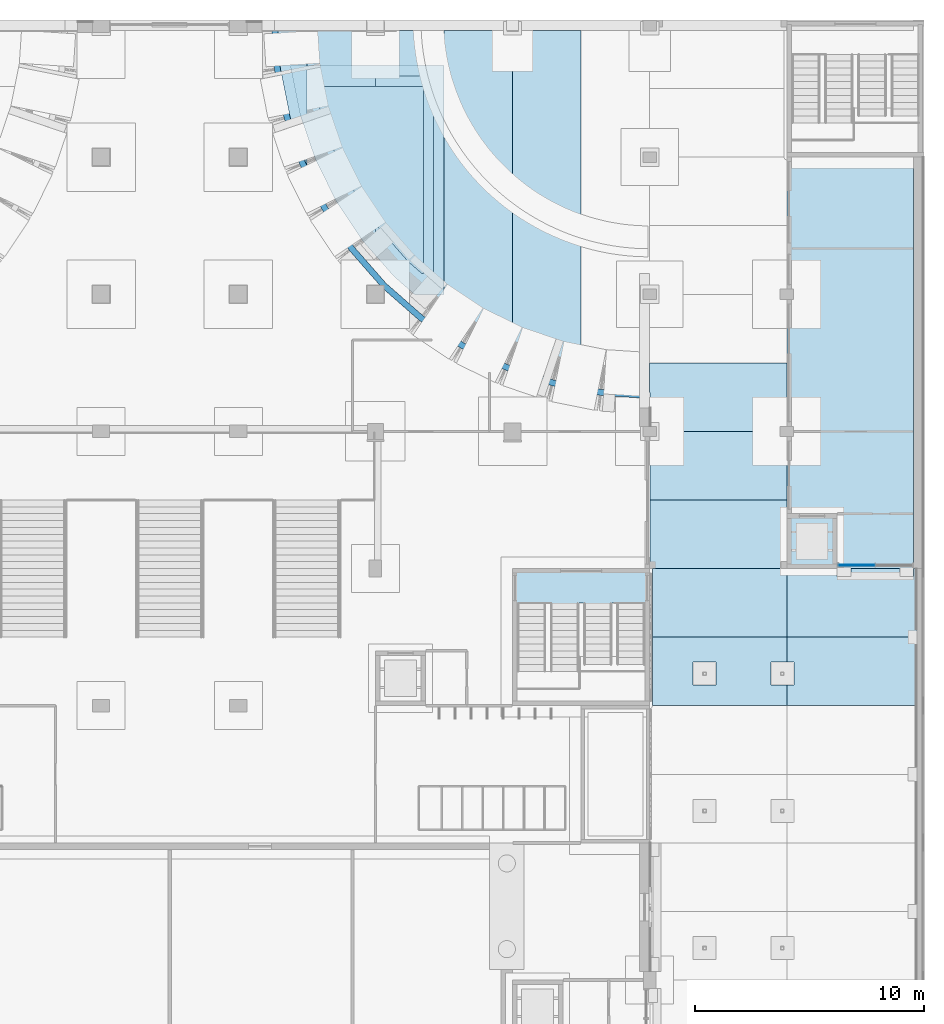
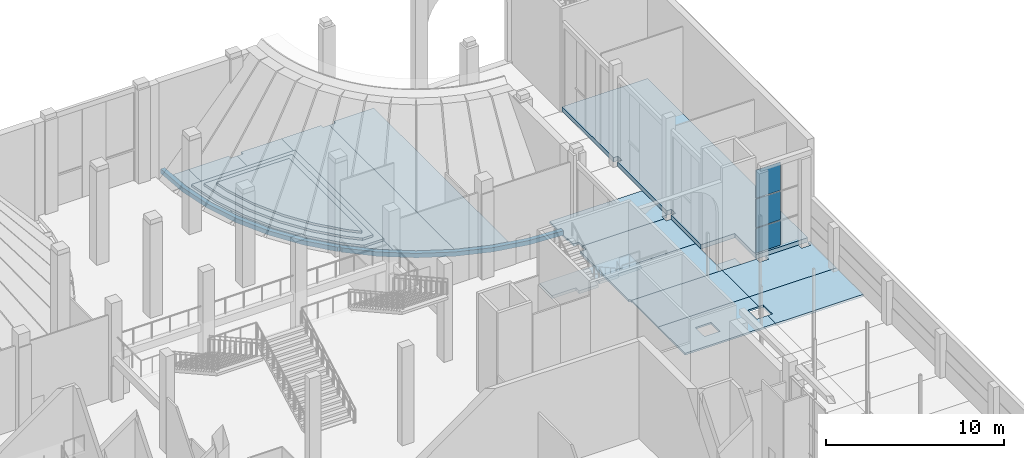
# One storey, part 38 of 95: 19 slabs, 3 plates, 2 elements without a shape of their own.
"""IFC4 building model written with IfcOpenShell, lengths in metres."""

from ifc_helpers import new_model, si_unit, direction, frame, origin, origin_2d, place, context, subcontext, project, spatial, polyline, rectangle, outline, extrude, material, layer, layer_set, type_object, element, aggregate, save


model = new_model("IFC4")

# Units and contexts
model_context = context("Model", 3, precision=1e-05, world=origin(), true_north=direction((0.0, 1.0)))
body_context = subcontext(model_context, "Body", "Model", "MODEL_VIEW")
ifc_project = project(units=[si_unit("LENGTHUNIT", "METRE"), si_unit("AREAUNIT", "SQUARE_METRE"), si_unit("VOLUMEUNIT", "CUBIC_METRE"), si_unit("PLANEANGLEUNIT", "RADIAN"), si_unit("MASSUNIT", "GRAM", prefix="KILO")], contexts=[model_context])

# Site, building, storey
site_placement = place(None, origin())
site = spatial("IfcSite", under=ifc_project, at=site_placement, CompositionType="ELEMENT")
building_placement = place(site_placement, origin())
building = spatial("IfcBuilding", under=site, at=building_placement, Name="Saffron Lane Theatres", CompositionType="ELEMENT")
storey_placement = place(building_placement, origin())
storey = spatial("IfcBuildingStorey", under=building, at=storey_placement, Name="L00", CompositionType="ELEMENT", Elevation=0.0)

# Curtain wall, plates
ifc_material_1 = material(Name="Aluminium", Category="aluminium")
curtain_wall_type = type_object("IfcCurtainWallType", Name="EX-CURTAIN WALL 3340x6050x200", PredefinedType="NOTDEFINED", material=ifc_material_1)
curtain_wall_placement = place(storey_placement, origin())
curtain_wall = element("IfcCurtainWall", 1, at=curtain_wall_placement, inside=storey, type_object=curtain_wall_type, Name="Curtain wall L00 17", PredefinedType="NOTDEFINED")
ifc_material_2 = material(Name="Glass", Category="glass")
ifc_layer_1 = layer(ifc_material_2, 0.031982421875)
ifc_layer_set_1 = layer_set([ifc_layer_1], Name="Glass")
plate_type = type_object("IfcPlateType", Name="EX-CW PANEL GLAZING 32", PredefinedType="CURTAIN_PANEL", material=ifc_layer_set_1)
plate_1_placement = place(storey_placement, frame((63.050048828125, 102.14990234375, 0.06005859375), z_axis=(0.0, 0.0, 1.0), x_axis=(-1.0, 0.0, 0.0)))
plate_1 = element("IfcPlate", 2, at=plate_1_placement, type_object=plate_type, Name="CW-00-17 panel 2.1", PredefinedType="CURTAIN_PANEL", context=body_context, shape_type="SweptSolid", body=[
    extrude(rectangle(XDim=1.580078125, YDim=0.031982421875, at=origin_2d()), origin(), (0.0, 0.0, 1.0), 1.926513671875),
])
plate_2_placement = place(storey_placement, frame((63.050048828125, 102.14990234375, 2.04638671875), z_axis=(0.0, 0.0, 1.0), x_axis=(-1.0, 0.0, 0.0)))
plate_2 = element("IfcPlate", 3, at=plate_2_placement, type_object=plate_type, Name="CW-00-17 panel 2.2", PredefinedType="CURTAIN_PANEL", context=body_context, shape_type="SweptSolid", body=[
    extrude(rectangle(XDim=1.580078125, YDim=0.031982421875, at=origin_2d()), origin(), (0.0, 0.0, 1.0), 1.956787109375),
])
plate_3_placement = place(storey_placement, frame((63.050048828125, 102.14990234375, 4.0634765625), z_axis=(0.0, 0.0, 1.0), x_axis=(-1.0, 0.0, 0.0)))
plate_3 = element("IfcPlate", 4, at=plate_3_placement, type_object=plate_type, Name="CW-00-17 panel 2.3", PredefinedType="CURTAIN_PANEL", context=body_context, shape_type="SweptSolid", body=[
    extrude(rectangle(XDim=1.580078125, YDim=0.031982421875, at=origin_2d()), origin(), (0.0, 0.0, 1.0), 1.926513671875),
])
aggregate(curtain_wall, [plate_1, plate_2, plate_3])

# Slabs
ifc_material_3 = material(Name="Masonry bluestone paving", Category="masonry")
ifc_layer_2 = layer(ifc_material_3, 0.1201171875)
ifc_layer_set_2 = layer_set([ifc_layer_2], Name="Masonry bluestone paving")
slab_type_1 = type_object("IfcSlabType", Name="EX-PAVING BLUESTONE 120", PredefinedType="USERDEFINED", material=ifc_layer_set_2)
slab_1_placement = place(storey_placement, frame((0.0, 0.0, -0.1201171875)))
element("IfcSlab", 5, at=slab_1_placement, inside=storey, type_object=slab_type_1, Name="Saffron Lane passage paving 24", ObjectType="PAVING", PredefinedType="USERDEFINED", context=body_context, shape_type="SweptSolid", body=[
    extrude(outline(polyline([(59.99658203125, 101.998046875), (59.996337890625, 101.99853515625), (59.99609375, 101.998779296875), (59.99609375, 101.999267578125), (59.99609375, 101.99951171875), (59.99609375, 102.0), (54.1201171875, 102.0), (54.1201171875, 99.0), (60.0, 99.0), (60.0, 101.99609375), (59.99951171875, 101.99609375), (59.999267578125, 101.99609375), (59.998779296875, 101.99609375), (59.99853515625, 101.996337890625), (59.998046875, 101.99658203125), (59.997802734375, 101.99658203125), (59.99755859375, 101.996826171875), (59.9970703125, 101.9970703125), (59.996826171875, 101.99755859375), (59.99658203125, 101.997802734375), (59.99658203125, 101.998046875)])), origin(), (0.0, 0.0, 1.0), 0.1201171875),
])
ifc_material_4 = material(Name="Masonry bluestone paving", Category="masonry")
ifc_layer_3 = layer(ifc_material_4, 0.14990234375)
ifc_layer_set_3 = layer_set([ifc_layer_3], Name="Masonry bluestone paving")
slab_type_2 = type_object("IfcSlabType", Name="EX-PAVING BLUESTONE 150", PredefinedType="USERDEFINED", material=ifc_layer_set_3)
slab_2_placement = place(storey_placement, frame((0.0, 0.0, -0.14990234375)))
element("IfcSlab", 6, at=slab_2_placement, inside=storey, type_object=slab_type_2, Name="East court paving 47", ObjectType="PAVING", PredefinedType="USERDEFINED", context=body_context, shape_type="SweptSolid", body=[
    extrude(outline(polyline([(60.0, 101.99609375), (60.0, 99.0), (65.68603515625, 99.0), (65.68603515625, 101.99609375), (65.5439453125, 101.99609375), (65.5439453125, 101.64990234375), (65.5439453125, 101.649658203125), (65.5439453125, 101.649169921875), (65.5439453125, 101.64892578125), (65.543701171875, 101.6484375), (65.54345703125, 101.648193359375), (65.543212890625, 101.647705078125), (65.543212890625, 101.6474609375), (65.542724609375, 101.647216796875), (65.54248046875, 101.64697265625), (65.542236328125, 101.646728515625), (65.5419921875, 101.646484375), (65.54150390625, 101.646240234375), (65.541259765625, 101.646240234375), (65.540771484375, 101.64599609375), (65.540283203125, 101.64599609375), (65.5400390625, 101.64599609375), (64.93994140625, 101.64599609375), (64.939697265625, 101.64599609375), (64.939208984375, 101.64599609375), (64.938720703125, 101.646240234375), (64.9384765625, 101.646240234375), (64.938232421875, 101.646484375), (64.937744140625, 101.646728515625), (64.9375, 101.64697265625), (64.937255859375, 101.647216796875), (64.93701171875, 101.6474609375), (64.936767578125, 101.647705078125), (64.9365234375, 101.648193359375), (64.936279296875, 101.6484375), (64.936279296875, 101.64892578125), (64.93603515625, 101.649169921875), (64.93603515625, 101.649658203125), (64.93603515625, 101.64990234375), (64.93603515625, 101.99609375), (62.803955078125, 101.99609375), (62.803955078125, 101.64990234375), (62.803955078125, 101.649658203125), (62.803955078125, 101.649169921875), (62.8037109375, 101.64892578125), (62.8037109375, 101.6484375), (62.803466796875, 101.648193359375), (62.80322265625, 101.647705078125), (62.802978515625, 101.6474609375), (62.802734375, 101.647216796875), (62.802490234375, 101.64697265625), (62.80224609375, 101.646728515625), (62.802001953125, 101.646484375), (62.801513671875, 101.646240234375), (62.80126953125, 101.646240234375), (62.80078125, 101.64599609375), (62.80029296875, 101.64599609375), (62.800048828125, 101.64599609375), (62.199951171875, 101.64599609375), (62.19970703125, 101.64599609375), (62.19921875, 101.64599609375), (62.19873046875, 101.646240234375), (62.198486328125, 101.646240234375), (62.197998046875, 101.646484375), (62.19775390625, 101.646728515625), (62.197509765625, 101.64697265625), (62.197265625, 101.647216796875), (62.197021484375, 101.6474609375), (62.19677734375, 101.647705078125), (62.196533203125, 101.648193359375), (62.1962890625, 101.6484375), (62.1962890625, 101.64892578125), (62.196044921875, 101.649169921875), (62.196044921875, 101.649658203125), (62.196044921875, 101.64990234375), (62.196044921875, 101.99609375), (60.0, 101.99609375)])), origin(), (0.0, 0.0, 1.0), 0.14990234375),
])
slab_3_placement = place(storey_placement, frame((0.0, 0.0, -0.14990234375)))
element("IfcSlab", 7, at=slab_3_placement, inside=storey, type_object=slab_type_2, Name="East arcade lane paving 2", ObjectType="PAVING", PredefinedType="USERDEFINED", context=body_context, shape_type="SweptSolid", body=[
    extrude(outline(polyline([(54.00390625, 107.59619140625), (54.00390625, 105.0), (59.99609375, 105.0), (59.99609375, 107.77099609375), (59.699951171875, 107.77099609375), (59.69970703125, 107.77099609375), (59.69921875, 107.77099609375), (59.69873046875, 107.771240234375), (59.698486328125, 107.771240234375), (59.697998046875, 107.771484375), (59.69775390625, 107.771728515625), (59.697509765625, 107.77197265625), (59.697265625, 107.772216796875), (59.697021484375, 107.7724609375), (59.69677734375, 107.772705078125), (59.696533203125, 107.773193359375), (59.6962890625, 107.7734375), (59.6962890625, 107.77392578125), (59.696044921875, 107.774169921875), (59.696044921875, 107.774658203125), (59.696044921875, 107.77490234375), (59.696044921875, 108.0), (54.40380859375, 108.0), (54.40380859375, 107.60009765625), (54.40380859375, 107.599609375), (54.40380859375, 107.599365234375), (54.40380859375, 107.598876953125), (54.403564453125, 107.5986328125), (54.4033203125, 107.59814453125), (54.4033203125, 107.597900390625), (54.403076171875, 107.59765625), (54.40283203125, 107.59716796875), (54.40234375, 107.596923828125), (54.402099609375, 107.5966796875), (54.40185546875, 107.5966796875), (54.4013671875, 107.596435546875), (54.401123046875, 107.59619140625), (54.400634765625, 107.59619140625), (54.400390625, 107.59619140625), (54.39990234375, 107.59619140625), (54.00390625, 107.59619140625)])), origin(), (0.0, 0.0, 1.0), 0.14990234375),
])
slab_4_placement = place(storey_placement, frame((0.0, 0.0, -0.14990234375)))
element("IfcSlab", 8, at=slab_4_placement, inside=storey, type_object=slab_type_2, Name="West forecourt paving 6", ObjectType="PAVING", PredefinedType="USERDEFINED", context=body_context, shape_type="SweptSolid", body=[
    extrude(outline(polyline([(47.763916015625, 110.944091796875), (48.0, 110.86376953125), (48.0, 125.345703125), (47.60009765625, 125.345703125), (47.599609375, 125.345703125), (47.599365234375, 125.345703125), (47.598876953125, 125.345703125), (47.5986328125, 125.345947265625), (47.59814453125, 125.34619140625), (47.597900390625, 125.34619140625), (47.59765625, 125.346435546875), (47.59716796875, 125.3466796875), (47.596923828125, 125.34716796875), (47.5966796875, 125.347412109375), (47.5966796875, 125.34765625), (47.596435546875, 125.34814453125), (47.59619140625, 125.348388671875), (47.59619140625, 125.348876953125), (47.59619140625, 125.34912109375), (47.59619140625, 125.349609375), (47.59619140625, 125.54541015625), (45.0, 125.54541015625), (45.0, 112.4560546875), (45.85205078125, 111.88671875), (47.763916015625, 110.944091796875)])), origin(), (0.0, 0.0, 1.0), 0.14990234375),
])
slab_5_placement = place(storey_placement, frame((0.0, 0.0, -0.14990234375)))
element("IfcSlab", 9, at=slab_5_placement, inside=storey, type_object=slab_type_2, Name="West forecourt paving 10", ObjectType="PAVING", PredefinedType="USERDEFINED", context=body_context, shape_type="SweptSolid", body=[
    extrude(outline(polyline([(41.071533203125, 116.0791015625), (42.0, 115.0205078125), (42.0, 125.320556640625), (41.60009765625, 125.320556640625), (41.599609375, 125.320556640625), (41.599365234375, 125.320556640625), (41.598876953125, 125.320556640625), (41.5986328125, 125.32080078125), (41.59814453125, 125.321044921875), (41.597900390625, 125.321044921875), (41.59765625, 125.3212890625), (41.59716796875, 125.321533203125), (41.596923828125, 125.322021484375), (41.5966796875, 125.322265625), (41.5966796875, 125.322509765625), (41.596435546875, 125.322998046875), (41.59619140625, 125.3232421875), (41.59619140625, 125.32373046875), (41.59619140625, 125.323974609375), (41.59619140625, 125.324462890625), (41.59619140625, 125.54541015625), (39.0, 125.54541015625), (39.0, 119.65087890625), (39.88720703125, 117.8515625), (41.071533203125, 116.0791015625)])), origin(), (0.0, 0.0, 1.0), 0.14990234375),
])
ifc_material_5 = material(Name="Masonry sandstone paving", Category="masonry")
ifc_layer_4 = layer(ifc_material_5, 0.1201171875)
ifc_layer_set_4 = layer_set([ifc_layer_4], Name="Masonry sandstone paving")
slab_type_3 = type_object("IfcSlabType", Name="EX-PAVING SANDSTONE 120", PredefinedType="USERDEFINED", material=ifc_layer_set_4)
slab_6_placement = place(storey_placement, frame((0.0, 0.0, -0.1201171875)))
element("IfcSlab", 10, at=slab_6_placement, inside=storey, type_object=slab_type_3, Name="Saffron Lane passage paving 23", ObjectType="PAVING", PredefinedType="USERDEFINED", context=body_context, shape_type="SweptSolid", body=[
    extrude(outline(polyline([(60.0, 97.904052734375), (60.0, 99.0), (54.1201171875, 99.0), (54.1201171875, 96.0), (60.0, 96.0), (60.0, 96.89599609375), (59.300048828125, 96.89599609375), (59.299560546875, 96.89599609375), (59.29931640625, 96.89599609375), (59.298828125, 96.896240234375), (59.298583984375, 96.896240234375), (59.298095703125, 96.896484375), (59.2978515625, 96.896728515625), (59.29736328125, 96.89697265625), (59.297119140625, 96.897216796875), (59.296875, 96.8974609375), (59.296630859375, 96.897705078125), (59.29638671875, 96.898193359375), (59.29638671875, 96.8984375), (59.296142578125, 96.89892578125), (59.296142578125, 96.899169921875), (59.2958984375, 96.899658203125), (59.2958984375, 96.89990234375), (59.2958984375, 97.89990234375), (59.2958984375, 97.900390625), (59.296142578125, 97.90087890625), (59.296142578125, 97.901123046875), (59.29638671875, 97.901611328125), (59.29638671875, 97.90185546875), (59.296630859375, 97.90234375), (59.296875, 97.902587890625), (59.297119140625, 97.90283203125), (59.29736328125, 97.903076171875), (59.2978515625, 97.9033203125), (59.298095703125, 97.903564453125), (59.298583984375, 97.90380859375), (59.298828125, 97.90380859375), (59.29931640625, 97.90380859375), (59.299560546875, 97.904052734375), (59.300048828125, 97.904052734375), (60.0, 97.904052734375)]), holes=[polyline([(55.89599609375, 97.90087890625), (55.896240234375, 97.901123046875), (55.896240234375, 97.901611328125), (55.896484375, 97.90185546875), (55.896728515625, 97.90234375), (55.89697265625, 97.902587890625), (55.897216796875, 97.90283203125), (55.8974609375, 97.903076171875), (55.897705078125, 97.9033203125), (55.898193359375, 97.903564453125), (55.8984375, 97.90380859375), (55.89892578125, 97.90380859375), (55.899169921875, 97.90380859375), (55.899658203125, 97.904052734375), (55.89990234375, 97.904052734375), (56.89990234375, 97.904052734375), (56.900390625, 97.904052734375), (56.90087890625, 97.90380859375), (56.901123046875, 97.90380859375), (56.901611328125, 97.90380859375), (56.90185546875, 97.903564453125), (56.90234375, 97.9033203125), (56.902587890625, 97.903076171875), (56.90283203125, 97.90283203125), (56.903076171875, 97.902587890625), (56.9033203125, 97.90234375), (56.903564453125, 97.90185546875), (56.90380859375, 97.901611328125), (56.90380859375, 97.901123046875), (56.90380859375, 97.90087890625), (56.904052734375, 97.900390625), (56.904052734375, 97.89990234375), (56.904052734375, 96.89990234375), (56.904052734375, 96.899658203125), (56.90380859375, 96.899169921875), (56.90380859375, 96.89892578125), (56.90380859375, 96.8984375), (56.903564453125, 96.898193359375), (56.9033203125, 96.897705078125), (56.903076171875, 96.8974609375), (56.90283203125, 96.897216796875), (56.902587890625, 96.89697265625), (56.90234375, 96.896728515625), (56.90185546875, 96.896484375), (56.901611328125, 96.896240234375), (56.901123046875, 96.896240234375), (56.90087890625, 96.89599609375), (56.900390625, 96.89599609375), (56.89990234375, 96.89599609375), (55.89990234375, 96.89599609375), (55.899658203125, 96.89599609375), (55.899169921875, 96.89599609375), (55.89892578125, 96.896240234375), (55.8984375, 96.896240234375), (55.898193359375, 96.896484375), (55.897705078125, 96.896728515625), (55.8974609375, 96.89697265625), (55.897216796875, 96.897216796875), (55.89697265625, 96.8974609375), (55.896728515625, 96.897705078125), (55.896484375, 96.898193359375), (55.896240234375, 96.8984375), (55.896240234375, 96.89892578125), (55.89599609375, 96.899169921875), (55.89599609375, 96.899658203125), (55.89599609375, 96.89990234375), (55.89599609375, 97.89990234375), (55.89599609375, 97.900390625), (55.89599609375, 97.90087890625)])]), origin(), (0.0, 0.0, 1.0), 0.1201171875),
])
ifc_material_6 = material(Name="Masonry sandstone paving", Category="masonry")
ifc_layer_5 = layer(ifc_material_6, 0.14990234375)
ifc_layer_set_5 = layer_set([ifc_layer_5], Name="Masonry sandstone paving")
slab_type_4 = type_object("IfcSlabType", Name="EX-PAVING SANDSTONE 150", PredefinedType="USERDEFINED", material=ifc_layer_set_5)
slab_7_placement = place(storey_placement, frame((0.0, 0.0, -0.14990234375)))
element("IfcSlab", 11, at=slab_7_placement, inside=storey, type_object=slab_type_4, Name="East court paving 45", ObjectType="PAVING", PredefinedType="USERDEFINED", context=body_context, shape_type="SweptSolid", body=[
    extrude(outline(polyline([(60.0, 96.89599609375), (60.0, 96.0), (65.68603515625, 96.0), (65.68603515625, 99.0), (60.0, 99.0), (60.0, 97.904052734375), (60.300048828125, 97.904052734375), (60.30029296875, 97.904052734375), (60.30078125, 97.90380859375), (60.30126953125, 97.90380859375), (60.301513671875, 97.90380859375), (60.302001953125, 97.903564453125), (60.30224609375, 97.9033203125), (60.302490234375, 97.903076171875), (60.302734375, 97.90283203125), (60.302978515625, 97.902587890625), (60.30322265625, 97.90234375), (60.303466796875, 97.90185546875), (60.3037109375, 97.901611328125), (60.3037109375, 97.901123046875), (60.303955078125, 97.90087890625), (60.303955078125, 97.900390625), (60.303955078125, 97.89990234375), (60.303955078125, 96.89990234375), (60.303955078125, 96.899658203125), (60.303955078125, 96.899169921875), (60.3037109375, 96.89892578125), (60.3037109375, 96.8984375), (60.303466796875, 96.898193359375), (60.30322265625, 96.897705078125), (60.302978515625, 96.8974609375), (60.302734375, 96.897216796875), (60.302490234375, 96.89697265625), (60.30224609375, 96.896728515625), (60.302001953125, 96.896484375), (60.301513671875, 96.896240234375), (60.30126953125, 96.896240234375), (60.30078125, 96.89599609375), (60.30029296875, 96.89599609375), (60.300048828125, 96.89599609375), (60.0, 96.89599609375)])), origin(), (0.0, 0.0, 1.0), 0.14990234375),
])
slab_8_placement = place(storey_placement, frame((0.0, 0.0, -0.14990234375)))
element("IfcSlab", 12, at=slab_8_placement, inside=storey, type_object=slab_type_4, Name="East arcade lane paving 1", ObjectType="PAVING", PredefinedType="USERDEFINED", context=body_context, shape_type="SweptSolid", body=[
    extrude(outline(polyline([(54.0927734375, 102.076171875), (54.099853515625, 102.066650390625), (54.105712890625, 102.056640625), (54.11083984375, 102.0458984375), (54.11474609375, 102.034912109375), (54.11767578125, 102.0234375), (54.119384765625, 102.01171875), (54.1201171875, 102.0), (59.99609375, 102.0), (59.99609375, 102.199951171875), (59.99609375, 102.199951171875), (59.99609375, 104.199951171875), (59.99609375, 104.39990234375), (59.99609375, 104.39990234375), (59.99609375, 105.0), (54.00390625, 105.0), (54.00390625, 102.119873046875), (54.01171875, 102.119384765625), (54.0234375, 102.11767578125), (54.034912109375, 102.11474609375), (54.0458984375, 102.11083984375), (54.056640625, 102.105712890625), (54.066650390625, 102.099853515625), (54.076171875, 102.0927734375), (54.0849609375, 102.0849609375), (54.0927734375, 102.076171875)])), origin(), (0.0, 0.0, 1.0), 0.14990234375),
])
slab_9_placement = place(storey_placement, frame((0.0, 0.0, -0.14990234375)))
element("IfcSlab", 13, at=slab_9_placement, inside=storey, type_object=slab_type_4, Name="East arcade lane paving 3", ObjectType="PAVING", PredefinedType="USERDEFINED", context=body_context, shape_type="SweptSolid", body=[
    extrude(outline(polyline([(54.40380859375, 108.39990234375), (54.40380859375, 108.0), (59.696044921875, 108.0), (59.696044921875, 108.22509765625), (59.696044921875, 108.225341796875), (59.696044921875, 108.225830078125), (59.6962890625, 108.22607421875), (59.6962890625, 108.2265625), (59.696533203125, 108.226806640625), (59.69677734375, 108.227294921875), (59.697021484375, 108.2275390625), (59.697265625, 108.227783203125), (59.697509765625, 108.22802734375), (59.69775390625, 108.228271484375), (59.697998046875, 108.228515625), (59.698486328125, 108.228759765625), (59.69873046875, 108.228759765625), (59.69921875, 108.22900390625), (59.69970703125, 108.22900390625), (59.699951171875, 108.22900390625), (59.99609375, 108.22900390625), (59.99609375, 111.0), (54.0, 111.0), (54.0, 109.70361328125), (54.000244140625, 109.70361328125), (54.000732421875, 109.703369140625), (54.0009765625, 109.703369140625), (54.00146484375, 109.703125), (54.001708984375, 109.703125), (54.002197265625, 109.702880859375), (54.00244140625, 109.70263671875), (54.002685546875, 109.702392578125), (54.003173828125, 109.7021484375), (54.00341796875, 109.70166015625), (54.00341796875, 109.701416015625), (54.003662109375, 109.701171875), (54.00390625, 109.70068359375), (54.00390625, 109.7001953125), (54.00390625, 109.699951171875), (54.00390625, 109.699462890625), (54.00390625, 109.436279296875), (54.00390625, 109.435791015625), (54.00390625, 109.435546875), (54.00390625, 109.43505859375), (54.003662109375, 109.434814453125), (54.003662109375, 109.434326171875), (54.00341796875, 109.43408203125), (54.003173828125, 109.43359375), (54.0029296875, 109.433349609375), (54.002685546875, 109.43310546875), (54.002197265625, 109.432861328125), (54.001953125, 109.4326171875), (54.001708984375, 109.4326171875), (54.001220703125, 109.432373046875), (54.0009765625, 109.432373046875), (54.00048828125, 109.43212890625), (54.000244140625, 109.43212890625), (54.0, 109.43212890625), (54.0, 109.40771484375), (54.000244140625, 109.407470703125), (54.000732421875, 109.407470703125), (54.001220703125, 109.407470703125), (54.00146484375, 109.4072265625), (54.001953125, 109.4072265625), (54.002197265625, 109.406982421875), (54.00244140625, 109.40673828125), (54.002685546875, 109.406494140625), (54.003173828125, 109.40625), (54.00341796875, 109.40576171875), (54.00341796875, 109.405517578125), (54.003662109375, 109.405029296875), (54.00390625, 109.40478515625), (54.00390625, 109.404296875), (54.00390625, 109.404052734375), (54.00390625, 109.403564453125), (54.00390625, 109.03515625), (54.0400390625, 109.03515625), (54.04052734375, 109.03515625), (54.040771484375, 109.03515625), (54.041259765625, 109.03515625), (54.04150390625, 109.034912109375), (54.0419921875, 109.03466796875), (54.042236328125, 109.03466796875), (54.04248046875, 109.034423828125), (54.04296875, 109.0341796875), (54.043212890625, 109.03369140625), (54.04345703125, 109.033447265625), (54.04345703125, 109.033203125), (54.043701171875, 109.03271484375), (54.0439453125, 109.032470703125), (54.0439453125, 109.031982421875), (54.0439453125, 109.03173828125), (54.0439453125, 109.03125), (54.0439453125, 108.40380859375), (54.39990234375, 108.40380859375), (54.400390625, 108.40380859375), (54.400634765625, 108.40380859375), (54.401123046875, 108.40380859375), (54.4013671875, 108.403564453125), (54.40185546875, 108.4033203125), (54.402099609375, 108.4033203125), (54.40234375, 108.403076171875), (54.40283203125, 108.40283203125), (54.403076171875, 108.40234375), (54.4033203125, 108.402099609375), (54.4033203125, 108.40185546875), (54.403564453125, 108.4013671875), (54.40380859375, 108.401123046875), (54.40380859375, 108.400634765625), (54.40380859375, 108.400390625), (54.40380859375, 108.39990234375)])), origin(), (0.0, 0.0, 1.0), 0.14990234375),
])
slab_10_placement = place(storey_placement, frame((0.0, 0.0, -0.14990234375)))
element("IfcSlab", 14, at=slab_10_placement, inside=storey, type_object=slab_type_4, Name="West forecourt paving 4", ObjectType="PAVING", PredefinedType="USERDEFINED", context=body_context, shape_type="SweptSolid", body=[
    extrude(outline(polyline([(49.7822265625, 110.2587890625), (51.0, 110.0166015625), (51.0, 125.54541015625), (48.40380859375, 125.54541015625), (48.40380859375, 125.349609375), (48.40380859375, 125.34912109375), (48.40380859375, 125.348876953125), (48.40380859375, 125.348388671875), (48.403564453125, 125.34814453125), (48.4033203125, 125.34765625), (48.4033203125, 125.347412109375), (48.403076171875, 125.34716796875), (48.40283203125, 125.3466796875), (48.40234375, 125.346435546875), (48.402099609375, 125.34619140625), (48.40185546875, 125.34619140625), (48.4013671875, 125.345947265625), (48.401123046875, 125.345703125), (48.400634765625, 125.345703125), (48.400390625, 125.345703125), (48.39990234375, 125.345703125), (48.0, 125.345703125), (48.0, 110.86376953125), (49.7822265625, 110.2587890625)])), origin(), (0.0, 0.0, 1.0), 0.14990234375),
])
slab_11_placement = place(storey_placement, frame((0.0, 0.0, -0.14990234375)))
element("IfcSlab", 15, at=slab_11_placement, inside=storey, type_object=slab_type_4, Name="West forecourt paving 8", ObjectType="PAVING", PredefinedType="USERDEFINED", context=body_context, shape_type="SweptSolid", body=[
    extrude(outline(polyline([(44.07958984375, 113.071044921875), (45.0, 112.4560546875), (45.0, 125.54541015625), (42.40380859375, 125.54541015625), (42.40380859375, 125.324462890625), (42.40380859375, 125.323974609375), (42.40380859375, 125.32373046875), (42.40380859375, 125.3232421875), (42.403564453125, 125.322998046875), (42.4033203125, 125.322509765625), (42.4033203125, 125.322265625), (42.403076171875, 125.322021484375), (42.40283203125, 125.321533203125), (42.40234375, 125.3212890625), (42.402099609375, 125.321044921875), (42.40185546875, 125.321044921875), (42.4013671875, 125.32080078125), (42.401123046875, 125.320556640625), (42.400634765625, 125.320556640625), (42.400390625, 125.320556640625), (42.39990234375, 125.320556640625), (42.0, 125.320556640625), (42.0, 115.0205078125), (42.47705078125, 114.4765625), (44.07958984375, 113.071044921875)])), origin(), (0.0, 0.0, 1.0), 0.14990234375),
])
slab_12_placement = place(storey_placement, frame((0.0, 0.0, -0.14990234375)))
element("IfcSlab", 16, at=slab_12_placement, inside=storey, type_object=slab_type_4, Name="West forecourt paving 12", ObjectType="PAVING", PredefinedType="USERDEFINED", context=body_context, shape_type="SweptSolid", body=[
    extrude(outline(polyline([(38.944580078125, 119.763427734375), (39.0, 119.65087890625), (39.0, 125.54541015625), (37.733642578125, 125.54541015625), (37.84326171875, 123.872314453125), (38.25927734375, 121.78173828125), (38.944580078125, 119.763427734375)])), origin(), (0.0, 0.0, 1.0), 0.14990234375),
])
ifc_material_7 = material(Name="Masonry sandstone paving", Category="masonry")
ifc_layer_6 = layer(ifc_material_7, 0.14990234375)
ifc_layer_set_6 = layer_set([ifc_layer_6], Name="Masonry sandstone paving")
slab_type_5 = type_object("IfcSlabType", Name="EX-PLAZA STEP SANDSTONE 150 1", PredefinedType="USERDEFINED", material=ifc_layer_set_6)
slab_13_placement = place(storey_placement, origin())
element("IfcSlab", 17, at=slab_13_placement, inside=storey, type_object=slab_type_5, Name="Plaza step 1 NE 1", ObjectType="PAVING", PredefinedType="USERDEFINED", context=body_context, shape_type="SweptSolid", body=[
    extrude(outline(polyline([(45.0, 114.0), (45.0, 124.0), (38.285888671875, 124.0), (38.29052734375, 123.931396484375), (38.69482421875, 121.8984375), (39.361083984375, 119.93603515625), (40.27783203125, 118.076904296875), (41.42919921875, 116.353759765625), (42.7958984375, 114.79541015625), (43.702880859375, 114.0), (45.0, 114.0)])), origin(), (0.0, 0.0, 1.0), 0.14990234375),
])
ifc_material_8 = material(Name="Masonry sandstone paving", Category="masonry")
ifc_layer_7 = layer(ifc_material_8, 0.14990234375)
ifc_layer_set_7 = layer_set([ifc_layer_7], Name="Masonry sandstone paving")
slab_type_6 = type_object("IfcSlabType", Name="EX-PLAZA STEP SANDSTONE 150 2", PredefinedType="USERDEFINED", material=ifc_layer_set_7)
slab_14_placement = place(storey_placement, frame((0.0, 0.0, 0.14990234375)))
element("IfcSlab", 18, at=slab_14_placement, inside=storey, type_object=slab_type_6, Name="Plaza step 2 NE 1", ObjectType="PAVING", PredefinedType="USERDEFINED", context=body_context, shape_type="SweptSolid", body=[
    extrude(outline(polyline([(38.8251953125, 123.550048828125), (39.13037109375, 122.01513671875), (39.77783203125, 120.1083984375), (40.66845703125, 118.302490234375), (41.787109375, 116.628173828125), (43.11474609375, 115.1142578125), (43.872314453125, 114.449951171875), (44.550048828125, 114.449951171875), (44.550048828125, 123.550048828125), (38.8251953125, 123.550048828125)])), origin(), (0.0, 0.0, 1.0), 0.150146484375),
])
ifc_material_9 = material(Name="Masonry sandstone paving", Category="masonry")
ifc_layer_8 = layer(ifc_material_9, 0.14990234375)
ifc_layer_set_8 = layer_set([ifc_layer_8], Name="Masonry sandstone paving")
slab_type_7 = type_object("IfcSlabType", Name="EX-PLAZA STEP SANDSTONE 150 3", PredefinedType="USERDEFINED", material=ifc_layer_set_8)
slab_15_placement = place(storey_placement, frame((0.0, 0.0, 0.300048828125)))
element("IfcSlab", 19, at=slab_15_placement, inside=storey, type_object=slab_type_7, Name="Plaza step 3 NE 1", ObjectType="PAVING", PredefinedType="USERDEFINED", context=body_context, shape_type="SweptSolid", body=[
    extrude(outline(polyline([(39.37353515625, 123.10009765625), (39.566162109375, 122.1318359375), (40.1943359375, 120.281005859375), (41.058837890625, 118.52783203125), (42.144775390625, 116.90283203125), (43.43359375, 115.43310546875), (44.04150390625, 114.89990234375), (44.10009765625, 114.89990234375), (44.10009765625, 123.10009765625), (39.37353515625, 123.10009765625)])), origin(), (0.0, 0.0, 1.0), 0.14990234375),
])
ifc_material_10 = material(Name="Concrete N40 (40 MPa)", Category="concrete")
ifc_layer_9 = layer(ifc_material_10, 0.300048828125)
ifc_layer_set_9 = layer_set([ifc_layer_9], Name="Concrete N40 (40 MPa)")
slab_type_8 = type_object("IfcSlabType", Name="RC-SLAB BASE 300", PredefinedType="BASESLAB", material=ifc_layer_set_9)
slab_16_placement = place(storey_placement, origin())
element("IfcSlab", 20, at=slab_16_placement, inside=storey, type_object=slab_type_8, Name="slab-L00-BRICK-3", PredefinedType="BASESLAB", context=body_context, shape_type="SweptSolid", body=[
    extrude(outline(polyline([(37.83935546875, 123.871826171875), (37.699951171875, 125.99951171875), (37.436767578125, 125.99951171875), (37.578369140625, 123.837646484375), (38.001220703125, 121.712646484375), (38.697509765625, 119.660888671875), (39.65576171875, 117.7177734375), (40.859375, 115.91650390625), (42.20947265625, 114.376953125), (42.376953125, 114.376953125), (42.376953125, 114.20947265625), (43.9169921875, 112.85888671875), (45.71826171875, 111.6552734375), (47.66162109375, 110.697021484375), (49.713134765625, 110.00048828125), (51.838134765625, 109.577880859375), (54.0, 109.436279296875), (54.0, 109.699462890625), (51.872314453125, 109.8388671875), (49.78125, 110.2548828125), (47.76220703125, 110.940185546875), (45.85009765625, 111.88330078125), (44.0771484375, 113.06787109375), (42.47412109375, 114.4736328125), (41.068359375, 116.07666015625), (39.8837890625, 117.849609375), (38.94091796875, 119.76171875), (38.25537109375, 121.78076171875), (37.83935546875, 123.871826171875)])), origin(), (0.0, 0.0, 1.0), 0.300048828125),
])
slab_17_placement = place(storey_placement, origin())
element("IfcSlab", 21, at=slab_17_placement, inside=storey, type_object=slab_type_8, Name="slab-L00-WING_E-1", PredefinedType="BASESLAB", context=body_context, shape_type="SweptSolid", body=[
    extrude(outline(polyline([(62.199951171875, 104.39990234375), (62.199951171875, 102.0), (65.5400390625, 102.0), (65.5400390625, 120.0), (60.0, 120.0), (60.0, 114.22705078125), (60.302001953125, 114.22705078125), (60.302001953125, 113.77294921875), (60.0, 113.77294921875), (60.0, 108.22705078125), (60.302001953125, 108.22705078125), (60.302001953125, 107.77294921875), (60.0, 107.77294921875), (60.0, 104.39990234375), (62.199951171875, 104.39990234375)])), origin(), (0.0, 0.0, 1.0), 0.300048828125),
])
slab_18_placement = place(storey_placement, frame((0.0, 0.0, -1.699951171875)))
element("IfcSlab", 22, at=slab_18_placement, inside=storey, type_object=slab_type_8, Name="slab-pit-LC8", PredefinedType="BASESLAB", context=body_context, shape_type="SweptSolid", body=[
    extrude(outline(polyline([(60.0, 102.0), (62.199951171875, 102.0), (62.199951171875, 104.39990234375), (60.0, 104.39990234375), (60.0, 102.0)])), origin(), (0.0, 0.0, 1.0), 0.300048828125),
])

# Stair, slab
ifc_material_11 = material(Name="Concrete N40 (40 MPa)", Category="concrete")
stair_type = type_object("IfcStairType", Name="VC-STAIR EXIT", PredefinedType="TWO_STRAIGHT_RUN_STAIR", material=ifc_material_11)
stair_placement = place(storey_placement, origin())
stair = element("IfcStair", 23, at=stair_placement, inside=storey, type_object=stair_type, Name="Brick Block East Stair L00 to L01", PredefinedType="TWO_STRAIGHT_RUN_STAIR")
ifc_material_12 = material(Name="Concrete N40 (40 MPa)", Category="concrete")
ifc_layer_10 = layer(ifc_material_12, 0.199951171875)
ifc_layer_set_10 = layer_set([ifc_layer_10], Name="Concrete N40 (40 MPa)")
slab_type_9 = type_object("IfcSlabType", Name="VC-LANDING 200", PredefinedType="LANDING", material=ifc_layer_set_10)
slab_19_placement = place(storey_placement, frame((0.0, 0.0, 3.13330078125)))
slab_19 = element("IfcSlab", 24, at=slab_19_placement, type_object=slab_type_9, Name="ST4 landing 2", PredefinedType="LANDING", context=body_context, shape_type="SweptSolid", body=[
    extrude(outline(polyline([(48.10009765625, 100.5), (48.10009765625, 101.89990234375), (53.89990234375, 101.89990234375), (53.89990234375, 100.5), (52.35009765625, 100.5), (52.35009765625, 100.39990234375), (51.10009765625, 100.39990234375), (51.10009765625, 100.5), (50.89990234375, 100.5), (50.89990234375, 100.14990234375), (49.64990234375, 100.14990234375), (49.64990234375, 100.5), (48.10009765625, 100.5)])), origin(), (0.0, 0.0, 1.0), 0.199951171875),
])
aggregate(stair, [slab_19])

save(model, "model.ifc")
